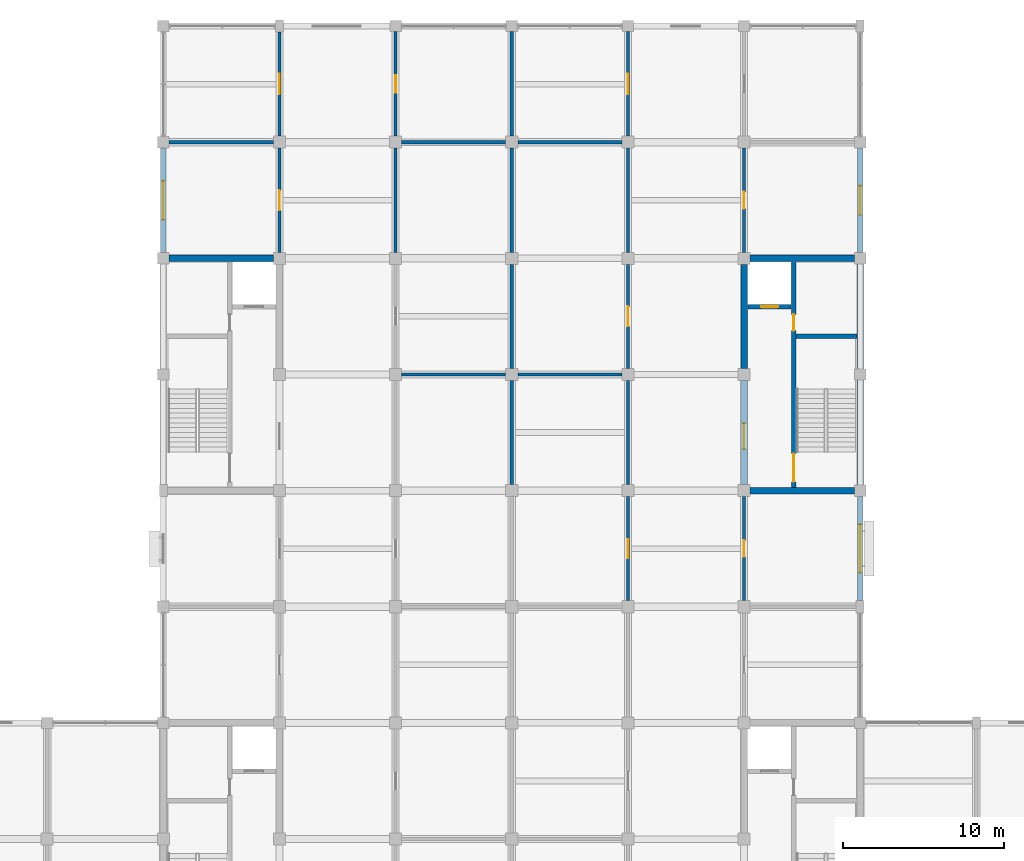
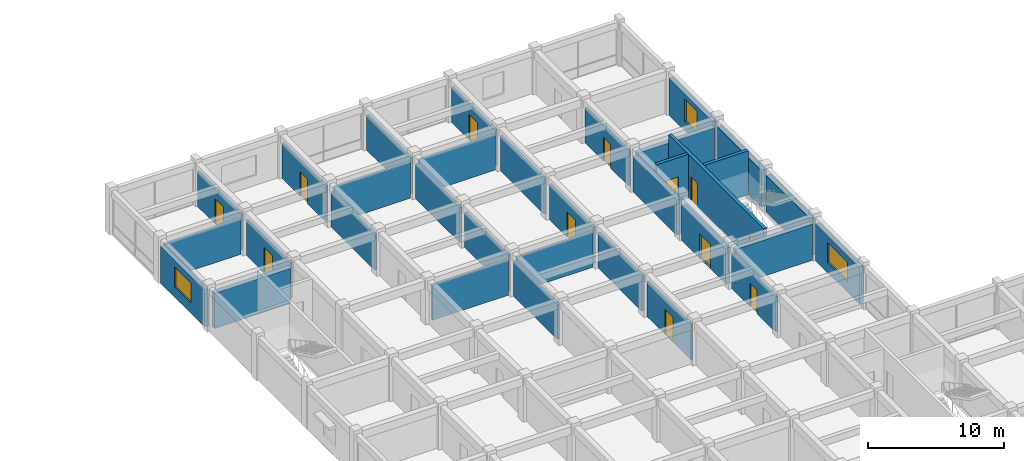
# One storey, part 22 of 31: 33 walls, 12 doors, 3 windows, 15 openings.
"""IFC4 building model written with IfcOpenShell, lengths in metres."""

from ifc_helpers import new_model, si_unit, direction, frame, frame_2d, origin, place, context, subcontext, project, spatial, rectangle, extrude, material, layer, layer_set, type_object, element, fill, save


model = new_model("IFC4")

# Units and contexts
model_context = context("Model", 3, precision=1e-05, world=origin(), true_north=direction((0.0, 1.0)))
body_context = subcontext(model_context, "Body", "Model", "MODEL_VIEW")
ifc_project = project(units=[si_unit("LENGTHUNIT", "METRE"), si_unit("AREAUNIT", "SQUARE_METRE"), si_unit("VOLUMEUNIT", "CUBIC_METRE"), si_unit("PLANEANGLEUNIT", "RADIAN"), si_unit("MASSUNIT", "GRAM", prefix="KILO")], contexts=[model_context])

# Site, building, storey
site_placement = place(None, origin())
site = spatial("IfcSite", under=ifc_project, at=site_placement, CompositionType="ELEMENT")
building_placement = place(site_placement, origin())
building = spatial("IfcBuilding", under=site, at=building_placement, Name="Cendaluz Park School", CompositionType="ELEMENT")
storey_placement = place(building_placement, frame((0.0, 0.0, 14.39990234375)))
storey = spatial("IfcBuildingStorey", under=building, at=storey_placement, Name="L03", CompositionType="ELEMENT", Elevation=14.39990234375)

# Wall
ifc_material_1 = material(Name="Gypsum Plasterboard on Cold-Formed Stud", Category="gypsum")
ifc_layer_1 = layer(ifc_material_1, 0.199951171875)
ifc_layer_set_1 = layer_set([ifc_layer_1], Name="Gypsum Plasterboard on Cold-Formed Stud")
wall_type_1 = type_object("IfcWallType", Name="W-AC20", PredefinedType="PARTITIONING", material=ifc_layer_set_1)
wall_1_placement = place(storey_placement, frame((65.14990234375, 64.800048828125, 0.0), z_axis=(0.0, 0.0, 1.0), x_axis=(1.0, 0.0, 0.0)))
element("IfcWall", 1, at=wall_1_placement, inside=storey, type_object=wall_type_1, Name="WL-FD-BO7", PredefinedType="PARTITIONING", context=body_context, shape_type="SweptSolid", body=[
    extrude(rectangle(XDim=6.47509765625, YDim=0.199951171875, at=frame_2d((3.237548828125, 0.0))), origin(), (0.0, 0.0, 1.0), 3.170166015625),
])

# Wall, opening, door
wall_2_placement = place(storey_placement, frame((72.0, 57.97509765625, 0.0), z_axis=(0.0, 0.0, 1.0), x_axis=(0.0, 1.0, 0.0)))
wall_2 = element("IfcWall", 2, at=wall_2_placement, inside=storey, type_object=wall_type_1, Name="WL-FD-BO8", PredefinedType="PARTITIONING", context=body_context, shape_type="SweptSolid", body=[
    extrude(rectangle(XDim=6.449951171875, YDim=0.199951171875, at=frame_2d((3.22509765625, 0.0))), origin(), (0.0, 0.0, 1.0), 3.170166015625),
])
opening_1_placement = place(wall_2_placement, frame((2.60498046875, 0.0, 0.0)))
opening_1 = element("IfcOpeningElement", 3, at=opening_1_placement, cuts=wall_2, Name="Opening DCL-09", PredefinedType="OPENING", context=body_context, shape_type="SweptSolid", body=[
    extrude(rectangle(XDim=1.239990234375, YDim=2.260009765625, at=frame_2d((0.6201171875, 1.1298828125))), frame((0.0, 0.112060546875, 0.0), z_axis=(0.0, -1.0, 0.0), x_axis=(1.0, 0.0, 0.0)), (0.0, 0.0, 1.0), 0.223876953125),
])
ifc_material_2 = material(Name="Solid Core Hardwood", Category="wood")
door_type_1 = type_object("IfcDoorType", Name="DCL-09", OperationType="NOTDEFINED", PredefinedType="DOOR", material=ifc_material_2)
door_1_placement = place(opening_1_placement, origin())
door_1 = element("IfcDoor", 4, at=door_1_placement, inside=storey, type_object=door_type_1, Name="D-L03-043", OperationType="SINGLE_SWING_LEFT", OverallHeight=2.260009765625, OverallWidth=1.239990234375, PredefinedType="DOOR", context=body_context, shape_type="SweptSolid", body=[
    extrude(rectangle(XDim=1.239990234375, YDim=2.260009765625, at=frame_2d((0.6201171875, 1.1298828125))), frame((0.0, 0.02490234375, 0.0), z_axis=(0.0, -1.0, 0.0), x_axis=(1.0, 0.0, 0.0)), (0.0, 0.0, 1.0), 0.050048828125),
])
fill(opening_1, door_1)

wall_3_placement = place(storey_placement, frame((72.0, 65.175048828125, 0.0), z_axis=(0.0, 0.0, 1.0), x_axis=(0.0, 1.0, 0.0)))
wall_3 = element("IfcWall", 5, at=wall_3_placement, inside=storey, type_object=wall_type_1, Name="WL-FD-BO9", PredefinedType="PARTITIONING", context=body_context, shape_type="SweptSolid", body=[
    extrude(rectangle(XDim=6.449951171875, YDim=0.199951171875, at=frame_2d((3.22509765625, 0.0))), origin(), (0.0, 0.0, 1.0), 3.170166015625),
])
opening_2_placement = place(wall_3_placement, frame((2.5849609375, 0.0, 0.0)))
opening_2 = element("IfcOpeningElement", 6, at=opening_2_placement, cuts=wall_3, Name="Opening DCL-10", PredefinedType="OPENING", context=body_context, shape_type="SweptSolid", body=[
    extrude(rectangle(XDim=1.280029296875, YDim=2.280029296875, at=frame_2d((0.64013671875, 1.14013671875))), frame((0.0, 0.112060546875, 0.0), z_axis=(0.0, -1.0, 0.0), x_axis=(1.0, 0.0, 0.0)), (0.0, 0.0, 1.0), 0.223876953125),
])
door_type_2 = type_object("IfcDoorType", Name="DCL-10", OperationType="NOTDEFINED", PredefinedType="DOOR", material=ifc_material_2)
door_2_placement = place(opening_2_placement, origin())
door_2 = element("IfcDoor", 7, at=door_2_placement, inside=storey, type_object=door_type_2, Name="D-L03-044", OperationType="SINGLE_SWING_RIGHT", OverallHeight=2.280029296875, OverallWidth=1.280029296875, PredefinedType="DOOR", context=body_context, shape_type="SweptSolid", body=[
    extrude(rectangle(XDim=1.280029296875, YDim=2.280029296875, at=frame_2d((0.64013671875, 1.14013671875))), frame((0.0, 0.02490234375, 0.0), z_axis=(0.0, -1.0, 0.0), x_axis=(1.0, 0.0, 0.0)), (0.0, 0.0, 1.0), 0.050048828125),
])
fill(opening_2, door_2)

# Walls
for number, where, z_axis, x_axis, name in (
    (8, (79.574951171875, 50.39990234375, 0.0), (0.0, 0.0, 1.0), (1.0, 0.0, 0.0), "WL-FD-BQ1"),
    (9, (86.39990234375, 43.574951171875, 0.0), (0.0, 0.0, 1.0), (0.0, 1.0, 0.0), "WL-FD-BQ3"),
):
    element("IfcWall", number, at=place(storey_placement, frame(where, z_axis=z_axis, x_axis=x_axis)), inside=storey, type_object=wall_type_1, Name=name, PredefinedType="PARTITIONING", context=body_context, shape_type="SweptSolid", body=[
        extrude(rectangle(XDim=6.449951171875, YDim=0.199951171875, at=frame_2d((3.22509765625, 0.0))), origin(), (0.0, 0.0, 1.0), 3.170166015625),
    ])
wall_4_placement = place(storey_placement, frame((86.39990234375, 50.77490234375, 0.0), z_axis=(0.0, 0.0, 1.0), x_axis=(0.0, 1.0, 0.0)))
element("IfcWall", 10, at=wall_4_placement, inside=storey, type_object=wall_type_1, Name="WL-FD-BQ5", PredefinedType="PARTITIONING", context=body_context, shape_type="SweptSolid", body=[
    extrude(rectangle(XDim=6.4501953125, YDim=0.199951171875, at=frame_2d((3.22509765625, 0.0))), origin(), (0.0, 0.0, 1.0), 3.170166015625),
])
wall_5_placement = place(storey_placement, frame((79.574951171875, 64.800048828125, 0.0), z_axis=(0.0, 0.0, 1.0), x_axis=(1.0, 0.0, 0.0)))
element("IfcWall", 11, at=wall_5_placement, inside=storey, type_object=wall_type_1, Name="WL-FD-BQ6", PredefinedType="PARTITIONING", context=body_context, shape_type="SweptSolid", body=[
    extrude(rectangle(XDim=6.449951171875, YDim=0.199951171875, at=frame_2d((3.22509765625, 0.0))), origin(), (0.0, 0.0, 1.0), 3.239990234375),
])
for number, where, z_axis, x_axis, name in (
    (12, (79.199951171875, 57.97509765625, 0.0), (0.0, 0.0, 1.0), (0.0, 1.0, 0.0), "WL-FD-BQ7"),
    (13, (86.39990234375, 57.97509765625, 0.0), (0.0, 0.0, 1.0), (0.0, 1.0, 0.0), "WL-FD-BQ8"),
):
    element("IfcWall", number, at=place(storey_placement, frame(where, z_axis=z_axis, x_axis=x_axis)), inside=storey, type_object=wall_type_1, Name=name, PredefinedType="PARTITIONING", context=body_context, shape_type="SweptSolid", body=[
        extrude(rectangle(XDim=6.449951171875, YDim=0.199951171875, at=frame_2d((3.22509765625, 0.0))), origin(), (0.0, 0.0, 1.0), 3.170166015625),
    ])

# Wall, opening, door
wall_6_placement = place(storey_placement, frame((79.199951171875, 65.175048828125, 0.0), z_axis=(0.0, 0.0, 1.0), x_axis=(0.0, 1.0, 0.0)))
wall_6 = element("IfcWall", 14, at=wall_6_placement, inside=storey, type_object=wall_type_1, Name="WL-FD-BQ9", PredefinedType="PARTITIONING", context=body_context, shape_type="SweptSolid", body=[
    extrude(rectangle(XDim=6.474853515625, YDim=0.199951171875, at=frame_2d((3.2373046875, 0.0))), origin(), (0.0, 0.0, 1.0), 3.170166015625),
])
opening_3_placement = place(wall_6_placement, frame((2.697509765625, 0.0, 0.0)))
opening_3 = element("IfcOpeningElement", 15, at=opening_3_placement, cuts=wall_6, Name="Opening DCL-05", PredefinedType="OPENING", context=body_context, shape_type="SweptSolid", body=[
    extrude(rectangle(XDim=1.080078125, YDim=2.179931640625, at=frame_2d((0.5400390625, 1.08984375))), frame((0.0, 0.112060546875, 0.0), z_axis=(0.0, -1.0, 0.0), x_axis=(1.0, 0.0, 0.0)), (0.0, 0.0, 1.0), 0.223876953125),
])
door_type_3 = type_object("IfcDoorType", Name="DCL-05", OperationType="NOTDEFINED", PredefinedType="DOOR", material=ifc_material_2)
door_3_placement = place(opening_3_placement, frame((1.080078125, 0.0, 0.0), z_axis=(0.0, 0.0, 1.0), x_axis=(-1.0, 0.0, 0.0)))
door_3 = element("IfcDoor", 16, at=door_3_placement, inside=storey, type_object=door_type_3, Name="D-L03-049", OperationType="SINGLE_SWING_LEFT", OverallHeight=2.179931640625, OverallWidth=1.080078125, PredefinedType="DOOR", context=body_context, shape_type="SweptSolid", body=[
    extrude(rectangle(XDim=1.080078125, YDim=2.179931640625, at=frame_2d((0.5400390625, 1.08984375))), frame((0.0, 0.02490234375, 0.0), z_axis=(0.0, -1.0, 0.0), x_axis=(1.0, 0.0, 0.0)), (0.0, 0.0, 1.0), 0.050048828125),
])
fill(opening_3, door_3)

# Wall
wall_7_placement = place(storey_placement, frame((86.39990234375, 65.175048828125, 0.0), z_axis=(0.0, 0.0, 1.0), x_axis=(0.0, 1.0, 0.0)))
element("IfcWall", 17, at=wall_7_placement, inside=storey, type_object=wall_type_1, Name="WL-FD-BR0", PredefinedType="PARTITIONING", context=body_context, shape_type="SweptSolid", body=[
    extrude(rectangle(XDim=6.474853515625, YDim=0.199951171875, at=frame_2d((3.2373046875, 0.0))), origin(), (0.0, 0.0, 1.0), 3.170166015625),
])

# Wall, opening, door
wall_8_placement = place(storey_placement, frame((93.60009765625, 36.375, 0.0), z_axis=(0.0, 0.0, 1.0), x_axis=(0.0, 1.0, 0.0)))
wall_8 = element("IfcWall", 18, at=wall_8_placement, inside=storey, type_object=wall_type_1, Name="WL-FD-BR7", PredefinedType="PARTITIONING", context=body_context, shape_type="SweptSolid", body=[
    extrude(rectangle(XDim=6.449951171875, YDim=0.199951171875, at=frame_2d((3.22509765625, 0.0))), origin(), (0.0, 0.0, 1.0), 3.170166015625),
])
opening_4_placement = place(wall_8_placement, frame((2.625, 0.0, 0.0)))
opening_4 = element("IfcOpeningElement", 19, at=opening_4_placement, cuts=wall_8, Name="Opening DCL-08", PredefinedType="OPENING", context=body_context, shape_type="SweptSolid", body=[
    extrude(rectangle(XDim=1.199951171875, YDim=2.239990234375, at=frame_2d((0.60009765625, 1.1201171875))), frame((0.0, 0.112060546875, 0.0), z_axis=(0.0, -1.0, 0.0), x_axis=(1.0, 0.0, 0.0)), (0.0, 0.0, 1.0), 0.223876953125),
])
door_type_4 = type_object("IfcDoorType", Name="DCL-08", OperationType="NOTDEFINED", PredefinedType="DOOR", material=ifc_material_2)
door_4_placement = place(opening_4_placement, origin())
door_4 = element("IfcDoor", 20, at=door_4_placement, inside=storey, type_object=door_type_4, Name="D-L03-052", OperationType="SINGLE_SWING_RIGHT", OverallHeight=2.239990234375, OverallWidth=1.199951171875, PredefinedType="DOOR", context=body_context, shape_type="SweptSolid", body=[
    extrude(rectangle(XDim=1.199951171875, YDim=2.239990234375, at=frame_2d((0.60009765625, 1.1201171875))), frame((0.0, 0.02490234375, 0.0), z_axis=(0.0, -1.0, 0.0), x_axis=(1.0, 0.0, 0.0)), (0.0, 0.0, 1.0), 0.050048828125),
])
fill(opening_4, door_4)

# Walls
wall_9_placement = place(storey_placement, frame((86.77490234375, 50.39990234375, 0.0), z_axis=(0.0, 0.0, 1.0), x_axis=(1.0, 0.0, 0.0)))
element("IfcWall", 21, at=wall_9_placement, inside=storey, type_object=wall_type_1, Name="WL-FD-BR8", PredefinedType="PARTITIONING", context=body_context, shape_type="SweptSolid", body=[
    extrude(rectangle(XDim=6.4501953125, YDim=0.199951171875, at=frame_2d((3.22509765625, 0.0))), origin(), (0.0, 0.0, 1.0), 3.170166015625),
])
wall_10_placement = place(storey_placement, frame((93.60009765625, 43.574951171875, 0.0), z_axis=(0.0, 0.0, 1.0), x_axis=(0.0, 1.0, 0.0)))
element("IfcWall", 22, at=wall_10_placement, inside=storey, type_object=wall_type_1, Name="WL-FD-BR9", PredefinedType="PARTITIONING", context=body_context, shape_type="SweptSolid", body=[
    extrude(rectangle(XDim=6.449951171875, YDim=0.199951171875, at=frame_2d((3.22509765625, 0.0))), origin(), (0.0, 0.0, 1.0), 3.170166015625),
])

# Wall, opening, door
wall_11_placement = place(storey_placement, frame((93.60009765625, 50.77490234375, 0.0), z_axis=(0.0, 0.0, 1.0), x_axis=(0.0, 1.0, 0.0)))
wall_11 = element("IfcWall", 23, at=wall_11_placement, inside=storey, type_object=wall_type_1, Name="WL-FD-BS0", PredefinedType="PARTITIONING", context=body_context, shape_type="SweptSolid", body=[
    extrude(rectangle(XDim=6.4501953125, YDim=0.199951171875, at=frame_2d((3.22509765625, 0.0))), origin(), (0.0, 0.0, 1.0), 3.170166015625),
])
opening_5_placement = place(wall_11_placement, frame((2.60498046875, 0.0, 0.0)))
opening_5 = element("IfcOpeningElement", 24, at=opening_5_placement, cuts=wall_11, Name="Opening DCL-09", PredefinedType="OPENING", context=body_context, shape_type="SweptSolid", body=[
    extrude(rectangle(XDim=1.239990234375, YDim=2.260009765625, at=frame_2d((0.6201171875, 1.1298828125))), frame((0.0, 0.112060546875, 0.0), z_axis=(0.0, -1.0, 0.0), x_axis=(1.0, 0.0, 0.0)), (0.0, 0.0, 1.0), 0.223876953125),
])
door_5_placement = place(opening_5_placement, origin())
door_5 = element("IfcDoor", 25, at=door_5_placement, inside=storey, type_object=door_type_1, Name="D-L03-053", OperationType="SINGLE_SWING_LEFT", OverallHeight=2.260009765625, OverallWidth=1.239990234375, PredefinedType="DOOR", context=body_context, shape_type="SweptSolid", body=[
    extrude(rectangle(XDim=1.239990234375, YDim=2.260009765625, at=frame_2d((0.6201171875, 1.1298828125))), frame((0.0, 0.02490234375, 0.0), z_axis=(0.0, -1.0, 0.0), x_axis=(1.0, 0.0, 0.0)), (0.0, 0.0, 1.0), 0.050048828125),
])
fill(opening_5, door_5)

# Walls
wall_12_placement = place(storey_placement, frame((86.77490234375, 64.800048828125, 0.0), z_axis=(0.0, 0.0, 1.0), x_axis=(1.0, 0.0, 0.0)))
element("IfcWall", 26, at=wall_12_placement, inside=storey, type_object=wall_type_1, Name="WL-FD-BS1", PredefinedType="PARTITIONING", context=body_context, shape_type="SweptSolid", body=[
    extrude(rectangle(XDim=6.4501953125, YDim=0.199951171875, at=frame_2d((3.22509765625, 0.0))), origin(), (0.0, 0.0, 1.0), 3.170166015625),
])
wall_13_placement = place(storey_placement, frame((93.60009765625, 57.97509765625, 0.0), z_axis=(0.0, 0.0, 1.0), x_axis=(0.0, 1.0, 0.0)))
element("IfcWall", 27, at=wall_13_placement, inside=storey, type_object=wall_type_1, Name="WL-FD-BS2", PredefinedType="PARTITIONING", context=body_context, shape_type="SweptSolid", body=[
    extrude(rectangle(XDim=6.449951171875, YDim=0.199951171875, at=frame_2d((3.22509765625, 0.0))), origin(), (0.0, 0.0, 1.0), 3.170166015625),
])

# Wall, opening, door
wall_14_placement = place(storey_placement, frame((93.60009765625, 65.175048828125, 0.0), z_axis=(0.0, 0.0, 1.0), x_axis=(0.0, 1.0, 0.0)))
wall_14 = element("IfcWall", 28, at=wall_14_placement, inside=storey, type_object=wall_type_1, Name="WL-FD-BS3", PredefinedType="PARTITIONING", context=body_context, shape_type="SweptSolid", body=[
    extrude(rectangle(XDim=6.474853515625, YDim=0.199951171875, at=frame_2d((3.2373046875, 0.0))), origin(), (0.0, 0.0, 1.0), 3.170166015625),
])
opening_6_placement = place(wall_14_placement, frame((2.597412109375, 0.0, 0.0)))
opening_6 = element("IfcOpeningElement", 29, at=opening_6_placement, cuts=wall_14, Name="Opening DCL-10", PredefinedType="OPENING", context=body_context, shape_type="SweptSolid", body=[
    extrude(rectangle(XDim=1.280029296875, YDim=2.280029296875, at=frame_2d((0.64013671875, 1.14013671875))), frame((0.0, 0.112060546875, 0.0), z_axis=(0.0, -1.0, 0.0), x_axis=(1.0, 0.0, 0.0)), (0.0, 0.0, 1.0), 0.223876953125),
])
door_6_placement = place(opening_6_placement, origin())
door_6 = element("IfcDoor", 30, at=door_6_placement, inside=storey, type_object=door_type_2, Name="D-L03-054", OperationType="SINGLE_SWING_RIGHT", OverallHeight=2.280029296875, OverallWidth=1.280029296875, PredefinedType="DOOR", context=body_context, shape_type="SweptSolid", body=[
    extrude(rectangle(XDim=1.280029296875, YDim=2.280029296875, at=frame_2d((0.64013671875, 1.14013671875))), frame((0.0, 0.02490234375, 0.0), z_axis=(0.0, -1.0, 0.0), x_axis=(1.0, 0.0, 0.0)), (0.0, 0.0, 1.0), 0.050048828125),
])
fill(opening_6, door_6)

wall_15_placement = place(storey_placement, frame((100.800048828125, 36.375, 0.0), z_axis=(0.0, 0.0, 1.0), x_axis=(0.0, 1.0, 0.0)))
wall_15 = element("IfcWall", 31, at=wall_15_placement, inside=storey, type_object=wall_type_1, Name="WL-FD-BS6", PredefinedType="PARTITIONING", context=body_context, shape_type="SweptSolid", body=[
    extrude(rectangle(XDim=6.449951171875, YDim=0.199951171875, at=frame_2d((3.22509765625, 0.0))), origin(), (0.0, 0.0, 1.0), 3.170166015625),
])
opening_7_placement = place(wall_15_placement, frame((2.715087890625, 0.0, 0.0)))
opening_7 = element("IfcOpeningElement", 32, at=opening_7_placement, cuts=wall_15, Name="Opening DCL-02", PredefinedType="OPENING", context=body_context, shape_type="SweptSolid", body=[
    extrude(rectangle(XDim=1.02001953125, YDim=2.1201171875, at=frame_2d((0.510009765625, 1.06005859375))), frame((0.0, 0.112060546875, 0.0), z_axis=(0.0, -1.0, 0.0), x_axis=(1.0, 0.0, 0.0)), (0.0, 0.0, 1.0), 0.223876953125),
])
door_type_5 = type_object("IfcDoorType", Name="DCL-02", OperationType="NOTDEFINED", PredefinedType="DOOR", material=ifc_material_2)
door_7_placement = place(opening_7_placement, frame((1.02001953125, 0.0, 0.0), z_axis=(0.0, 0.0, 1.0), x_axis=(-1.0, 0.0, 0.0)))
door_7 = element("IfcDoor", 33, at=door_7_placement, inside=storey, type_object=door_type_5, Name="D-L03-056", OperationType="SINGLE_SWING_RIGHT", OverallHeight=2.1201171875, OverallWidth=1.02001953125, PredefinedType="DOOR", context=body_context, shape_type="SweptSolid", body=[
    extrude(rectangle(XDim=1.02001953125, YDim=2.1201171875, at=frame_2d((0.510009765625, 1.06005859375))), frame((0.0, 0.02490234375, 0.0), z_axis=(0.0, -1.0, 0.0), x_axis=(1.0, 0.0, 0.0)), (0.0, 0.0, 1.0), 0.050048828125),
])
fill(opening_7, door_7)

wall_16_placement = place(storey_placement, frame((100.800048828125, 57.97509765625, 0.0), z_axis=(0.0, 0.0, 1.0), x_axis=(0.0, 1.0, 0.0)))
wall_16 = element("IfcWall", 34, at=wall_16_placement, inside=storey, type_object=wall_type_1, Name="WL-FD-BS8", PredefinedType="PARTITIONING", context=body_context, shape_type="SweptSolid", body=[
    extrude(rectangle(XDim=6.449951171875, YDim=0.199951171875, at=frame_2d((3.22509765625, 0.0))), origin(), (0.0, 0.0, 1.0), 3.170166015625),
])
opening_8_placement = place(wall_16_placement, frame((2.705078125, 0.0, 0.0)))
opening_8 = element("IfcOpeningElement", 35, at=opening_8_placement, cuts=wall_16, Name="Opening DCL-03", PredefinedType="OPENING", context=body_context, shape_type="SweptSolid", body=[
    extrude(rectangle(XDim=1.0400390625, YDim=2.139892578125, at=frame_2d((0.52001953125, 1.06982421875))), frame((0.0, 0.112060546875, 0.0), z_axis=(0.0, -1.0, 0.0), x_axis=(1.0, 0.0, 0.0)), (0.0, 0.0, 1.0), 0.223876953125),
])
door_type_6 = type_object("IfcDoorType", Name="DCL-03", OperationType="NOTDEFINED", PredefinedType="DOOR", material=ifc_material_2)
door_8_placement = place(opening_8_placement, frame((1.0400390625, 0.0, 0.0), z_axis=(0.0, 0.0, 1.0), x_axis=(-1.0, 0.0, 0.0)))
door_8 = element("IfcDoor", 36, at=door_8_placement, inside=storey, type_object=door_type_6, Name="D-L03-057", OperationType="SINGLE_SWING_LEFT", OverallHeight=2.139892578125, OverallWidth=1.0400390625, PredefinedType="DOOR", context=body_context, shape_type="SweptSolid", body=[
    extrude(rectangle(XDim=1.0400390625, YDim=2.139892578125, at=frame_2d((0.52001953125, 1.06982421875))), frame((0.0, 0.02490234375, 0.0), z_axis=(0.0, -1.0, 0.0), x_axis=(1.0, 0.0, 0.0)), (0.0, 0.0, 1.0), 0.050048828125),
])
fill(opening_8, door_8)

# Wall, opening, window
ifc_material_3 = material(Name="Concrete C40/50 precast", Category="concrete")
ifc_layer_2 = layer(ifc_material_3, 0.340087890625)
ifc_layer_set_2 = layer_set([ifc_layer_2], Name="Concrete C40/50 precast")
wall_type_2 = type_object("IfcWallType", Name="W-EX34", PredefinedType="SOLIDWALL", material=ifc_layer_set_2)
wall_17_placement = place(storey_placement, frame((64.800048828125, 57.949951171875, 0.0), z_axis=(0.0, 0.0, 1.0), x_axis=(0.0, 1.0, 0.0)))
wall_17 = element("IfcWall", 37, at=wall_17_placement, inside=storey, type_object=wall_type_2, Name="WL-FD-AA8", PredefinedType="SOLIDWALL", context=body_context, shape_type="SweptSolid", body=[
    extrude(rectangle(XDim=6.5, YDim=0.340087890625, at=frame_2d((3.25, 0.0))), origin(), (0.0, 0.0, 1.0), 3.31005859375),
])
opening_9_placement = place(wall_17_placement, frame((2.050048828125, 0.0, 0.89990234375)))
opening_9 = element("IfcOpeningElement", 38, at=opening_9_placement, cuts=wall_17, Name="Opening WN-04", PredefinedType="OPENING", context=body_context, shape_type="SweptSolid", body=[
    extrude(rectangle(XDim=2.39990234375, YDim=1.800048828125, at=frame_2d((1.199951171875, 0.89990234375))), frame((0.0, 0.18212890625, 0.0), z_axis=(0.0, -1.0, 0.0), x_axis=(1.0, 0.0, 0.0)), (0.0, 0.0, 1.0), 0.364013671875),
])
ifc_material_4 = material(Name="Tempered Low-E Double Glazing", Category="glass")
window_type_1 = type_object("IfcWindowType", Name="WN-04", PartitioningType="SINGLE_PANEL", PredefinedType="WINDOW", material=ifc_material_4)
window_1_placement = place(opening_9_placement, origin())
window_1 = element("IfcWindow", 39, at=window_1_placement, inside=storey, type_object=window_type_1, Name="WN-L03-008", OverallHeight=1.800048828125, OverallWidth=2.39990234375, PartitioningType="SINGLE_PANEL", PredefinedType="WINDOW", context=body_context, shape_type="SweptSolid", body=[
    extrude(rectangle(XDim=2.39990234375, YDim=1.800048828125, at=frame_2d((1.199951171875, 0.89990234375))), frame((0.0, 0.030029296875, 0.0), z_axis=(0.0, -1.0, 0.0), x_axis=(1.0, 0.0, 0.0)), (0.0, 0.0, 1.0), 0.06005859375),
])
fill(opening_9, window_1)

wall_18_placement = place(storey_placement, frame((108.0, 36.375, 0.0), z_axis=(0.0, 0.0, 1.0), x_axis=(0.0, 1.0, 0.0)))
wall_18 = element("IfcWall", 40, at=wall_18_placement, inside=storey, type_object=wall_type_2, Name="WL-FD-AB3", PredefinedType="SOLIDWALL", context=body_context, shape_type="SweptSolid", body=[
    extrude(rectangle(XDim=6.47509765625, YDim=0.340087890625, at=frame_2d((3.237548828125, 0.0))), origin(), (0.0, 0.0, 1.0), 3.31005859375),
])
opening_10_placement = place(wall_18_placement, frame((1.737548828125, 0.0, 0.89990234375)))
opening_10 = element("IfcOpeningElement", 41, at=opening_10_placement, cuts=wall_18, Name="Opening WN-07", PredefinedType="OPENING", context=body_context, shape_type="SweptSolid", body=[
    extrude(rectangle(XDim=3.0, YDim=1.800048828125, at=frame_2d((1.5, 0.89990234375))), frame((0.0, 0.18212890625, 0.0), z_axis=(0.0, -1.0, 0.0), x_axis=(1.0, 0.0, 0.0)), (0.0, 0.0, 1.0), 0.364013671875),
])
window_type_2 = type_object("IfcWindowType", Name="WN-07", PartitioningType="SINGLE_PANEL", PredefinedType="WINDOW", material=ifc_material_4)
window_2_placement = place(opening_10_placement, origin())
window_2 = element("IfcWindow", 42, at=window_2_placement, inside=storey, type_object=window_type_2, Name="WN-L03-013", OverallHeight=1.800048828125, OverallWidth=3.0, PartitioningType="SINGLE_PANEL", PredefinedType="WINDOW", context=body_context, shape_type="SweptSolid", body=[
    extrude(rectangle(XDim=3.0, YDim=1.800048828125, at=frame_2d((1.5, 0.89990234375))), frame((0.0, 0.030029296875, 0.0), z_axis=(0.0, -1.0, 0.0), x_axis=(1.0, 0.0, 0.0)), (0.0, 0.0, 1.0), 0.06005859375),
])
fill(opening_10, window_2)

wall_19_placement = place(storey_placement, frame((108.0, 57.949951171875, 0.0), z_axis=(0.0, 0.0, 1.0), x_axis=(0.0, 1.0, 0.0)))
wall_19 = element("IfcWall", 43, at=wall_19_placement, inside=storey, type_object=wall_type_2, Name="WL-FD-AB4", PredefinedType="SOLIDWALL", context=body_context, shape_type="SweptSolid", body=[
    extrude(rectangle(XDim=6.5, YDim=0.340087890625, at=frame_2d((3.25, 0.0))), origin(), (0.0, 0.0, 1.0), 3.31005859375),
])
opening_11_placement = place(wall_19_placement, frame((2.35009765625, 0.0, 0.85009765625)))
opening_11 = element("IfcOpeningElement", 44, at=opening_11_placement, cuts=wall_19, Name="Opening WN-10", PredefinedType="OPENING", context=body_context, shape_type="SweptSolid", body=[
    extrude(rectangle(XDim=1.800048828125, YDim=2.0, at=frame_2d((0.89990234375, 1.0))), frame((0.0, 0.18212890625, 0.0), z_axis=(0.0, -1.0, 0.0), x_axis=(1.0, 0.0, 0.0)), (0.0, 0.0, 1.0), 0.364013671875),
])
window_type_3 = type_object("IfcWindowType", Name="WN-10", PartitioningType="SINGLE_PANEL", PredefinedType="WINDOW", material=ifc_material_4)
window_3_placement = place(opening_11_placement, origin())
window_3 = element("IfcWindow", 45, at=window_3_placement, inside=storey, type_object=window_type_3, Name="WN-L03-014", OverallHeight=2.0, OverallWidth=1.800048828125, PartitioningType="SINGLE_PANEL", PredefinedType="WINDOW", context=body_context, shape_type="SweptSolid", body=[
    extrude(rectangle(XDim=1.800048828125, YDim=2.0, at=frame_2d((0.89990234375, 1.0))), frame((0.0, 0.030029296875, 0.0), z_axis=(0.0, -1.0, 0.0), x_axis=(1.0, 0.0, 0.0)), (0.0, 0.0, 1.0), 0.06005859375),
])
fill(opening_11, window_3)

# Wall, openings, doors
ifc_material_5 = material(Name="Concrete C40/50", Category="concrete")
ifc_layer_3 = layer(ifc_material_5, 0.280029296875)
ifc_layer_set_3 = layer_set([ifc_layer_3], Name="Concrete C40/50")
wall_type_3 = type_object("IfcWallType", Name="W-FW28", PredefinedType="SHEAR", material=ifc_layer_set_3)
wall_20_placement = place(storey_placement, frame((103.8798828125, 43.39990234375, 0.0), z_axis=(0.0, 0.0, 1.0), x_axis=(0.0, 1.0, 0.0)))
wall_20 = element("IfcWall", 46, at=wall_20_placement, inside=storey, type_object=wall_type_3, Name="WL-FD-BJ5", PredefinedType="SHEAR", context=body_context, shape_type="SweptSolid", body=[
    extrude(rectangle(XDim=14.0, YDim=0.280029296875, at=frame_2d((7.0, 0.0))), origin(), (0.0, 0.0, 1.0), 3.940185546875),
])
opening_12_placement = place(wall_20_placement, frame((0.35009765625, 0.0, 0.0)))
opening_12 = element("IfcOpeningElement", 47, at=opening_12_placement, cuts=wall_20, Name="Opening DST-03", PredefinedType="OPENING", context=body_context, shape_type="SweptSolid", body=[
    extrude(rectangle(XDim=1.75, YDim=2.14990234375, at=frame_2d((0.875, 1.074951171875))), frame((0.0, 0.152099609375, 0.0), z_axis=(0.0, -1.0, 0.0), x_axis=(1.0, 0.0, 0.0)), (0.0, 0.0, 1.0), 0.303955078125),
])
opening_13_placement = place(wall_20_placement, frame((9.719970703125, 0.0, 0.0)))
opening_13 = element("IfcOpeningElement", 48, at=opening_13_placement, cuts=wall_20, Name="Opening DFC-01", PredefinedType="OPENING", context=body_context, shape_type="SweptSolid", body=[
    extrude(rectangle(XDim=1.0, YDim=2.14990234375, at=frame_2d((0.5, 1.074951171875))), frame((0.0, 0.152099609375, 0.0), z_axis=(0.0, -1.0, 0.0), x_axis=(1.0, 0.0, 0.0)), (0.0, 0.0, 1.0), 0.303955078125),
])
door_type_7 = type_object("IfcDoorType", Name="DFC-01", OperationType="NOTDEFINED", PredefinedType="DOOR", material=ifc_material_2)
door_9_placement = place(opening_13_placement, frame((1.0, 0.0, 0.0), z_axis=(0.0, 0.0, 1.0), x_axis=(-1.0, 0.0, 0.0)))
door_9 = element("IfcDoor", 49, at=door_9_placement, inside=storey, type_object=door_type_7, Name="D-L03-019", OperationType="SINGLE_SWING_LEFT", OverallHeight=2.14990234375, OverallWidth=1.0, PredefinedType="DOOR", context=body_context, shape_type="SweptSolid", body=[
    extrude(rectangle(XDim=1.0, YDim=2.14990234375, at=frame_2d((0.5, 1.074951171875))), frame((0.0, 0.02490234375, 0.0), z_axis=(0.0, -1.0, 0.0), x_axis=(1.0, 0.0, 0.0)), (0.0, 0.0, 1.0), 0.050048828125),
])
fill(opening_13, door_9)
door_type_8 = type_object("IfcDoorType", Name="DST-03", OperationType="DOUBLE_DOOR_SINGLE_SWING", PredefinedType="DOOR", material=ifc_material_2)
door_10_placement = place(opening_12_placement, frame((1.75, 0.0, 0.0), z_axis=(0.0, 0.0, 1.0), x_axis=(-1.0, 0.0, 0.0)))
door_10 = element("IfcDoor", 50, at=door_10_placement, inside=storey, type_object=door_type_8, Name="D-L03-018", OperationType="DOUBLE_DOOR_SINGLE_SWING", OverallHeight=2.14990234375, OverallWidth=1.75, PredefinedType="DOOR", context=body_context, shape_type="SweptSolid", body=[
    extrude(rectangle(XDim=1.75, YDim=2.14990234375, at=frame_2d((0.875, 1.074951171875))), frame((0.0, 0.02490234375, 0.0), z_axis=(0.0, -1.0, 0.0), x_axis=(1.0, 0.0, 0.0)), (0.0, 0.0, 1.0), 0.050048828125),
])
fill(opening_12, door_10)

# Wall
wall_21_placement = place(storey_placement, frame((104.02001953125, 52.780029296875, 0.0), z_axis=(0.0, 0.0, 1.0), x_axis=(1.0, 0.0, 0.0)))
element("IfcWall", 51, at=wall_21_placement, inside=storey, type_object=wall_type_3, Name="WL-FD-BJ6", PredefinedType="SHEAR", context=body_context, shape_type="SweptSolid", body=[
    extrude(rectangle(XDim=3.780029296875, YDim=0.280029296875, at=frame_2d((1.89013671875, 0.0))), origin(), (0.0, 0.0, 1.0), 3.940185546875),
])

# Wall, opening, door
wall_22_placement = place(storey_placement, frame((101.0400390625, 54.60009765625, 0.0), z_axis=(0.0, 0.0, 1.0), x_axis=(1.0, 0.0, 0.0)))
wall_22 = element("IfcWall", 52, at=wall_22_placement, inside=storey, type_object=wall_type_3, Name="WL-FD-BJ7", PredefinedType="SHEAR", context=body_context, shape_type="SweptSolid", body=[
    extrude(rectangle(XDim=2.679931640625, YDim=0.280029296875, at=frame_2d((1.33984375, 0.0))), origin(), (0.0, 0.0, 1.0), 3.940185546875),
])
opening_14_placement = place(wall_22_placement, frame((0.81494140625, 0.0, 0.0)))
opening_14 = element("IfcOpeningElement", 53, at=opening_14_placement, cuts=wall_22, Name="Opening LD-02", PredefinedType="OPENING", context=body_context, shape_type="SweptSolid", body=[
    extrude(rectangle(XDim=1.050048828125, YDim=2.199951171875, at=frame_2d((0.52490234375, 1.10009765625))), frame((0.0, 0.152099609375, 0.0), z_axis=(0.0, -1.0, 0.0), x_axis=(1.0, 0.0, 0.0)), (0.0, 0.0, 1.0), 0.303955078125),
])
ifc_material_6 = material(Name="Stainless Steel 316L", Category="steel")
door_type_9 = type_object("IfcDoorType", Name="LD-02", OperationType="DOUBLE_DOOR_SLIDING", PredefinedType="DOOR", material=ifc_material_6)
door_11_placement = place(opening_14_placement, frame((1.050048828125, 0.0, 0.0), z_axis=(0.0, 0.0, 1.0), x_axis=(-1.0, 0.0, 0.0)))
door_11 = element("IfcDoor", 54, at=door_11_placement, inside=storey, type_object=door_type_9, Name="D-L03-020", OperationType="DOUBLE_DOOR_SLIDING", OverallHeight=2.199951171875, OverallWidth=1.050048828125, PredefinedType="DOOR", context=body_context, shape_type="SweptSolid", body=[
    extrude(rectangle(XDim=1.050048828125, YDim=2.199951171875, at=frame_2d((0.52490234375, 1.10009765625))), frame((0.0, 0.02490234375, 0.0), z_axis=(0.0, -1.0, 0.0), x_axis=(1.0, 0.0, 0.0)), (0.0, 0.0, 1.0), 0.050048828125),
])
fill(opening_14, door_11)

# Wall
ifc_layer_4 = layer(ifc_material_5, 0.39990234375)
ifc_layer_set_4 = layer_set([ifc_layer_4], Name="Concrete C40/50")
wall_type_4 = type_object("IfcWallType", Name="W-SH40", PredefinedType="SHEAR", material=ifc_layer_set_4)
wall_23_placement = place(storey_placement, frame((65.14990234375, 57.60009765625, 0.0), z_axis=(0.0, 0.0, 1.0), x_axis=(1.0, 0.0, 0.0)))
element("IfcWall", 55, at=wall_23_placement, inside=storey, type_object=wall_type_4, Name="WL-FD-BI5", PredefinedType="SHEAR", context=body_context, shape_type="SweptSolid", body=[
    extrude(rectangle(XDim=6.47509765625, YDim=0.39990234375, at=frame_2d((3.237548828125, 0.0))), origin(), (0.0, 0.0, 1.0), 3.170166015625),
])

# Wall, opening, door
wall_24_placement = place(storey_placement, frame((100.800048828125, 43.574951171875, 0.0), z_axis=(0.0, 0.0, 1.0), x_axis=(0.0, 1.0, 0.0)))
wall_24 = element("IfcWall", 56, at=wall_24_placement, inside=storey, type_object=wall_type_4, Name="WL-FD-BI9", PredefinedType="SHEAR", context=body_context, shape_type="SweptSolid", body=[
    extrude(rectangle(XDim=6.449951171875, YDim=0.39990234375, at=frame_2d((3.22509765625, 0.0))), origin(), (0.0, 0.0, 1.0), 3.170166015625),
])
opening_15_placement = place(wall_24_placement, frame((2.199951171875, 0.0, 0.0)))
opening_15 = element("IfcOpeningElement", 57, at=opening_15_placement, cuts=wall_24, Name="Opening DLB-01", PredefinedType="OPENING", context=body_context, shape_type="SweptSolid", body=[
    extrude(rectangle(XDim=1.60009765625, YDim=2.199951171875, at=frame_2d((0.800048828125, 1.10009765625))), frame((0.0, 0.2119140625, 0.0), z_axis=(0.0, -1.0, 0.0), x_axis=(1.0, 0.0, 0.0)), (0.0, 0.0, 1.0), 0.423828125),
])
door_type_10 = type_object("IfcDoorType", Name="DLB-01", OperationType="DOUBLE_DOOR_SINGLE_SWING", PredefinedType="DOOR", material=ifc_material_2)
door_12_placement = place(opening_15_placement, frame((1.60009765625, 0.0, 0.0), z_axis=(0.0, 0.0, 1.0), x_axis=(-1.0, 0.0, 0.0)))
door_12 = element("IfcDoor", 58, at=door_12_placement, inside=storey, type_object=door_type_10, Name="D-L03-017", OperationType="DOUBLE_DOOR_SINGLE_SWING", OverallHeight=2.199951171875, OverallWidth=1.60009765625, PredefinedType="DOOR", context=body_context, shape_type="SweptSolid", body=[
    extrude(rectangle(XDim=1.60009765625, YDim=2.199951171875, at=frame_2d((0.800048828125, 1.10009765625))), frame((0.0, 0.02490234375, 0.0), z_axis=(0.0, -1.0, 0.0), x_axis=(1.0, 0.0, 0.0)), (0.0, 0.0, 1.0), 0.050048828125),
])
fill(opening_15, door_12)

# Walls
wall_25_placement = place(storey_placement, frame((100.800048828125, 50.77490234375, 0.0), z_axis=(0.0, 0.0, 1.0), x_axis=(0.0, 1.0, 0.0)))
element("IfcWall", 59, at=wall_25_placement, inside=storey, type_object=wall_type_4, Name="WL-FD-BJ0", PredefinedType="SHEAR", context=body_context, shape_type="SweptSolid", body=[
    extrude(rectangle(XDim=6.4501953125, YDim=0.39990234375, at=frame_2d((3.22509765625, 0.0))), origin(), (0.0, 0.0, 1.0), 3.170166015625),
])
for number, where, z_axis, x_axis, name in (
    (60, (108.0, 43.550048828125, 0.0), (0.0, 0.0, 1.0), (0.0, 1.0, 0.0), "WL-FD-BJ1"),
    (61, (108.0, 50.75, 0.0), (0.0, 0.0, 1.0), (0.0, 1.0, 0.0), "WL-FD-BJ2"),
):
    element("IfcWall", number, at=place(storey_placement, frame(where, z_axis=z_axis, x_axis=x_axis)), inside=storey, type_object=wall_type_4, Name=name, PredefinedType="SHEAR", context=body_context, shape_type="SweptSolid", body=[
        extrude(rectangle(XDim=6.5, YDim=0.39990234375, at=frame_2d((3.25, 0.0))), origin(), (0.0, 0.0, 1.0), 3.31005859375),
    ])
wall_26_placement = place(storey_placement, frame((101.175048828125, 43.199951171875, 0.0), z_axis=(0.0, 0.0, 1.0), x_axis=(1.0, 0.0, 0.0)))
element("IfcWall", 62, at=wall_26_placement, inside=storey, type_object=wall_type_4, Name="WL-FD-BJ3", PredefinedType="SHEAR", context=body_context, shape_type="SweptSolid", body=[
    extrude(rectangle(XDim=6.474853515625, YDim=0.39990234375, at=frame_2d((3.2373046875, 0.0))), origin(), (0.0, 0.0, 1.0), 3.239990234375),
])
wall_27_placement = place(storey_placement, frame((101.175048828125, 57.60009765625, 0.0), z_axis=(0.0, 0.0, 1.0), x_axis=(1.0, 0.0, 0.0)))
element("IfcWall", 63, at=wall_27_placement, inside=storey, type_object=wall_type_4, Name="WL-FD-BJ4", PredefinedType="SHEAR", context=body_context, shape_type="SweptSolid", body=[
    extrude(rectangle(XDim=6.474853515625, YDim=0.39990234375, at=frame_2d((3.2373046875, 0.0))), origin(), (0.0, 0.0, 1.0), 3.170166015625),
])

save(model, "model.ifc")
